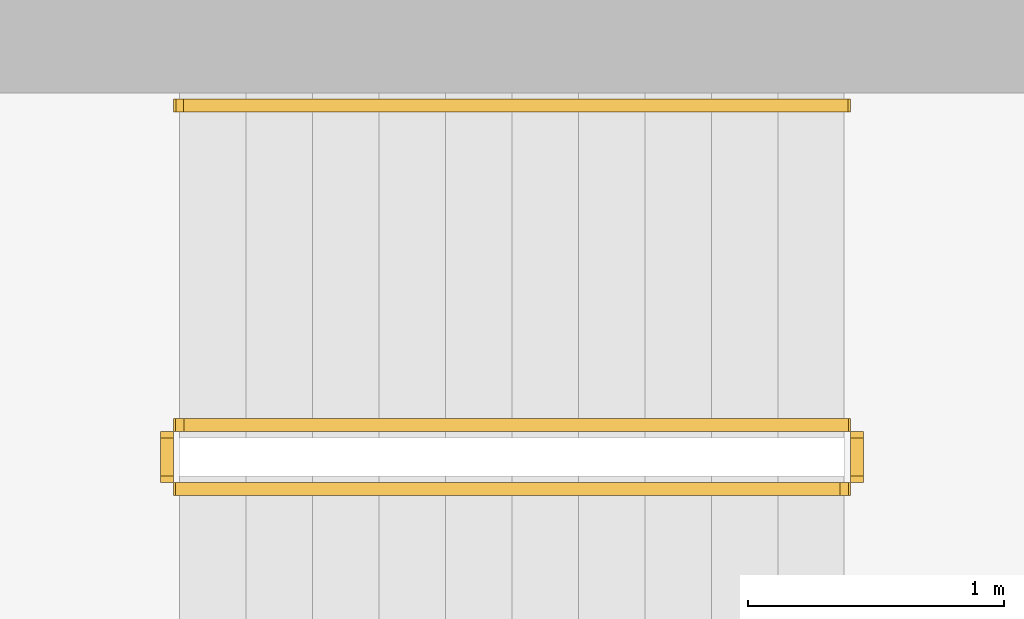
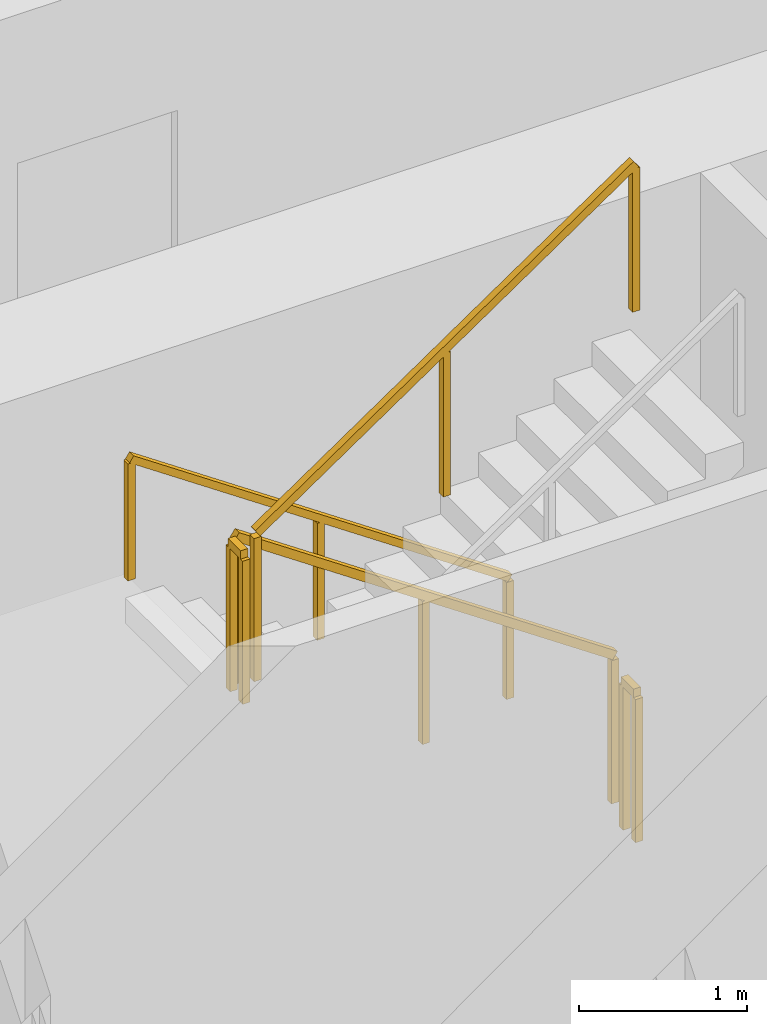
# One storey, part 16 of 17: 5 railings.
"""IFC4 building model written with IfcOpenShell, lengths in metres."""

import ifcopenshell
import ifcopenshell.guid

model = None  # the IFC model being written
_history = None  # IfcOwnerHistory: only IFC2X3 demands one
_inside = {}  # id of a spatial element -> (the spatial element, [elements in it])
_under = {}  # id of a project, library or spatial element -> (it, [spatial elements below it])
_declared = {}  # id of a project -> (the project, [libraries it declares])
_typed = {}  # id of a type object -> (the type object, [elements of that type])
_made_of = {}  # id of a material, layer set ... -> (it, [elements and type objects made of it])


def new_model(schema):
    """Start an empty IFC model of exactly this schema.

    Asked for "IFC4X3", IfcOpenShell would pick the latest addendum, in which some entities
    have other attributes; the version numbers below select the first issue.
    IFC2X3 requires an IfcOwnerHistory on every rooted entity: one is made here for all.
    """
    global model, _history
    if schema == "IFC4X3":
        model = ifcopenshell.file(schema_version=(4, 3, 0, 0))
    else:
        model = ifcopenshell.file(schema=schema)
    _inside.clear()
    _under.clear()
    _declared.clear()
    _typed.clear()
    _made_of.clear()
    _history = None
    if model.schema == "IFC2X3":
        org = make("IfcOrganization", Name="unknown")
        user = make(
            "IfcPersonAndOrganization",
            ThePerson=make("IfcPerson", FamilyName="unknown"),
            TheOrganization=org,
        )
        app = make(
            "IfcApplication",
            ApplicationDeveloper=org,
            Version="unknown",
            ApplicationFullName="unknown",
            ApplicationIdentifier="unknown",
        )
        _history = make(
            "IfcOwnerHistory",
            OwningUser=user,
            OwningApplication=app,
            ChangeAction="ADDED",
            CreationDate=0,
        )
    return model


def make(cls, **values):
    """One entity of the class cls with the attributes given. An attribute that is None is left unset."""
    return model.create_entity(
        cls, **{name: value for name, value in values.items() if value is not None}
    )


def rooted(cls, **values):
    """An entity with a GlobalId (a new one), such as an element, a storey or a relation."""
    return make(cls, GlobalId=ifcopenshell.guid.new(), OwnerHistory=_history, **values)


def si_unit(unit_type, name, prefix=None):
    """IfcSIUnit, for example si_unit("LENGTHUNIT", "METRE", prefix="MILLI")."""
    return make("IfcSIUnit", UnitType=unit_type, Prefix=prefix, Name=name)


def assignment(units):
    """IfcUnitAssignment: the units of a project."""
    return None if units is None else make("IfcUnitAssignment", Units=units)


def point(xyz):
    """IfcCartesianPoint."""
    return None if xyz is None else make("IfcCartesianPoint", Coordinates=xyz)


def direction(xyz):
    """IfcDirection."""
    return None if xyz is None else make("IfcDirection", DirectionRatios=xyz)


def frame(location, z_axis=None, x_axis=None):
    """IfcAxis2Placement3D, a coordinate frame: its origin and axes. An axis left out is left unset."""
    return make(
        "IfcAxis2Placement3D",
        Location=point(location),
        Axis=direction(z_axis),
        RefDirection=direction(x_axis),
    )


def frame_2d(location, x_axis=None):
    """IfcAxis2Placement2D, a coordinate frame in the plane: its origin and x axis."""
    return make(
        "IfcAxis2Placement2D", Location=point(location), RefDirection=direction(x_axis)
    )


def origin():
    """The frame at (0, 0, 0) with its axes left unset."""
    return frame((0.0, 0.0, 0.0))


def origin_2d():
    """The frame at (0, 0) in the plane with its x axis left unset."""
    return frame_2d((0.0, 0.0))


def place(relative_to, where):
    """IfcLocalPlacement: puts the frame where relative to a parent placement (None: the world)."""
    return make(
        "IfcLocalPlacement", PlacementRelTo=relative_to, RelativePlacement=where
    )


def context(
    kind, dimensions, precision=None, world=None, true_north=None, identifier=None
):
    """IfcGeometricRepresentationContext, for example the 3D "Model" context."""
    return make(
        "IfcGeometricRepresentationContext",
        ContextIdentifier=identifier,
        ContextType=kind,
        CoordinateSpaceDimension=dimensions,
        Precision=precision,
        WorldCoordinateSystem=world,
        TrueNorth=true_north,
    )


def subcontext(parent, identifier, kind, view, scale=None):
    """IfcGeometricRepresentationSubContext, for example "Body" below "Model"."""
    return make(
        "IfcGeometricRepresentationSubContext",
        ContextIdentifier=identifier,
        ContextType=kind,
        ParentContext=parent,
        TargetScale=scale,
        TargetView=view,
    )


def project(units=None, contexts=None):
    """IfcProject with its units and contexts."""
    return rooted(
        "IfcProject",
        Name="project",
        RepresentationContexts=contexts,
        UnitsInContext=assignment(units),
    )


def spatial(cls, under=None, at=None, **own):
    """A site, building, storey or space (cls), placed at a placement, below another one or the project."""
    s = rooted(cls, ObjectPlacement=at, **own)
    if under is not None:
        _under.setdefault(under.id(), (under, []))[1].append(s)
    return s


def profile(cls, at=None, kind="AREA", **sizes):
    """A parametric profile (cls). Its sizes go by their IFC names, for example OverallWidth=200.0."""
    return make(cls, ProfileType=kind, Position=at, **sizes)


def rectangle(**sizes):
    """IfcRectangleProfileDef."""
    return profile("IfcRectangleProfileDef", **sizes)


def extrude(swept, where, along, depth):
    """IfcExtrudedAreaSolid: the profile swept, set in the frame where, extruded along a direction by depth."""
    return make(
        "IfcExtrudedAreaSolid",
        SweptArea=swept,
        Position=where,
        ExtrudedDirection=direction(along),
        Depth=depth,
    )


def shape(context_of_items, identifier, shape_type, items):
    """IfcShapeRepresentation: the items that make up one representation, for example the "Body"."""
    return make(
        "IfcShapeRepresentation",
        ContextOfItems=context_of_items,
        RepresentationIdentifier=identifier,
        RepresentationType=shape_type,
        Items=items,
    )


def material(Name=None, Category=None):
    """IfcMaterial."""
    return make("IfcMaterial", Name=Name, Category=Category)


def made_of(thing, what):
    """Note that an element or type object is made of a material, layer set ...; save() writes the relation."""
    if what is not None:
        _made_of.setdefault(what.id(), (what, []))[1].append(thing)
    return thing


def type_object(cls, material=None, **own):
    """A type object (cls), such as IfcWallType, which elements share."""
    return made_of(rooted(cls, **own), material)


def element(
    cls,
    number,
    at=None,
    inside=None,
    cuts=None,
    type_object=None,
    material=None,
    context=None,
    identifier="Body",
    shape_type=None,
    held_by="IfcProductDefinitionShape",
    body=None,
    shapes=None,
    **own,
):
    """One element of the class cls, such as IfcWall. Its Tag is "e" and its number.

    at: its placement. inside: the storey or other place that contains it. cuts: it is an
    opening in that element (IfcRelVoidsElement). A single representation is given by context,
    identifier, shape_type and body (its items); several are given by shapes. held_by: the class
    of the entity that holds the representations. save() writes the other relations.
    """
    e = rooted(cls, Tag="e%d" % number, ObjectPlacement=at, **own)
    if body is not None:
        shapes = [shape(context, identifier, shape_type, body)]
    if shapes is not None:
        e.Representation = make(held_by, Representations=shapes)
    if inside is not None:
        _inside.setdefault(inside.id(), (inside, []))[1].append(e)
    if cuts is not None:
        rooted(
            "IfcRelVoidsElement", RelatingBuildingElement=cuts, RelatedOpeningElement=e
        )
    if type_object is not None:
        _typed.setdefault(type_object.id(), (type_object, []))[1].append(e)
    return made_of(e, material)


def aggregate(whole, parts):
    """IfcRelAggregates: a whole, such as a stair, and the parts it consists of."""
    return rooted("IfcRelAggregates", RelatingObject=whole, RelatedObjects=parts)


def save(model, path):
    """Write the relations noted so far, then the file.

    IfcRelAggregates (storeys below a building ...), IfcRelContainedInSpatialStructure (elements
    in a storey), IfcRelDefinesByType, IfcRelAssociatesMaterial and IfcRelDeclares: one each for
    every whole, place, type object, material and project.
    """
    for whole, parts in _under.values():
        aggregate(whole, parts)
    for where, things in _inside.values():
        rooted(
            "IfcRelContainedInSpatialStructure",
            RelatedElements=things,
            RelatingStructure=where,
        )
    for kind, things in _typed.values():
        rooted("IfcRelDefinesByType", RelatedObjects=things, RelatingType=kind)
    for what, things in _made_of.values():
        rooted("IfcRelAssociatesMaterial", RelatedObjects=things, RelatingMaterial=what)
    for by, libraries in _declared.values():
        rooted("IfcRelDeclares", RelatingContext=by, RelatedDefinitions=libraries)
    model.write(path)


model = new_model("IFC4")

# Units and contexts
model_context = context("Model", 3, precision=1e-05, world=origin(), true_north=direction((0.0, 1.0)))
body_context = subcontext(model_context, "Body", "Model", "MODEL_VIEW")
ifc_project = project(units=[si_unit("LENGTHUNIT", "METRE"), si_unit("AREAUNIT", "SQUARE_METRE"), si_unit("VOLUMEUNIT", "CUBIC_METRE"), si_unit("PLANEANGLEUNIT", "RADIAN"), si_unit("MASSUNIT", "GRAM", prefix="KILO")], contexts=[model_context])

# Site, building, storey
site_placement = place(None, origin())
site = spatial("IfcSite", under=ifc_project, at=site_placement, CompositionType="ELEMENT")
building_placement = place(site_placement, origin())
building = spatial("IfcBuilding", under=site, at=building_placement, Name="Khepri Terraces", CompositionType="ELEMENT")
storey_placement = place(building_placement, frame((0.0, 0.0, 188.39990234375)))
storey = spatial("IfcBuildingStorey", under=building, at=storey_placement, Name="L44", CompositionType="ELEMENT", Elevation=188.39990234375)

# Railings
ifc_material = material(Name="Stainless steel 316", Category="steel")
railing_type_1 = type_object("IfcRailingType", Name="RL-CORE-GUARD", PredefinedType="GUARDRAIL", material=ifc_material)
railing_1_placement = place(storey_placement, frame((-0.25, 8.800048828125, 0.177490234375)))
element("IfcRailing", 1, at=railing_1_placement, inside=storey, type_object=railing_type_1, Name="L44 ST-3 stair guard 1", PredefinedType="GUARDRAIL", context=body_context, shape_type="SweptSolid", body=[
    extrude(rectangle(XDim=0.050048828125, YDim=0.06005859375, at=origin_2d()), frame((0.0, 0.0, 1.070068359375), z_axis=(-0.826240473404, 0.0, 0.563317565952), x_axis=(0.0, -1.0, 0.0)), (0.0, 0.0, 1.0), 3.14697265625),
    extrude(rectangle(XDim=0.050048828125, YDim=0.050048828125, at=origin_2d()), origin(), (0.0, 0.0, 1.0), 1.0400390625),
    extrude(rectangle(XDim=0.050048828125, YDim=0.050048828125, at=origin_2d()), frame((-1.300048828125, 0.0, 0.88623046875)), (0.0, 0.0, 1.0), 1.0400390625),
    extrude(rectangle(XDim=0.050048828125, YDim=0.050048828125, at=origin_2d()), frame((-2.60009765625, 0.0, 1.772705078125)), (0.0, 0.0, 1.0), 1.0400390625),
])
railing_2_placement = place(storey_placement, frame((-2.89990234375, 8.75, 1.9501953125)))
element("IfcRailing", 2, at=railing_2_placement, inside=storey, type_object=railing_type_1, Name="L44 ST-3 stair guard 2", PredefinedType="GUARDRAIL", context=body_context, shape_type="SweptSolid", body=[
    extrude(rectangle(XDim=0.050048828125, YDim=0.06005859375, at=origin_2d()), frame((0.0, 0.0, 1.070068359375), z_axis=(0.0, -1.0, 0.0), x_axis=(1.0, 0.0, 0.0)), (0.0, 0.0, 1.0), 0.14990234375),
    extrude(rectangle(XDim=0.050048828125, YDim=0.050048828125, at=origin_2d()), origin(), (0.0, 0.0, 1.0), 1.0400390625),
    extrude(rectangle(XDim=0.050048828125, YDim=0.050048828125, at=origin_2d()), frame((0.0, -0.14990234375, 0.0)), (0.0, 0.0, 1.0), 1.0400390625),
])
railing_3_placement = place(storey_placement, frame((-2.85009765625, 8.550048828125, 2.12744140625)))
element("IfcRailing", 3, at=railing_3_placement, inside=storey, type_object=railing_type_1, Name="L44 ST-3 stair guard 3", PredefinedType="GUARDRAIL", context=body_context, shape_type="SweptSolid", body=[
    extrude(rectangle(XDim=0.050048828125, YDim=0.06005859375, at=origin_2d()), frame((0.0, 0.0, 1.070068359375), z_axis=(0.826240473404, 0.0, 0.563317565952), x_axis=(0.0, 1.0, 0.0)), (0.0, 0.0, 1.0), 3.14697265625),
    extrude(rectangle(XDim=0.050048828125, YDim=0.050048828125, at=origin_2d()), origin(), (0.0, 0.0, 1.0), 1.0400390625),
    extrude(rectangle(XDim=0.050048828125, YDim=0.050048828125, at=origin_2d()), frame((1.300048828125, 0.0, 0.88623046875)), (0.0, 0.0, 1.0), 1.0400390625),
    extrude(rectangle(XDim=0.050048828125, YDim=0.050048828125, at=origin_2d()), frame((2.60009765625, 0.0, 1.772705078125)), (0.0, 0.0, 1.0), 1.0400390625),
])
railing_4_placement = place(storey_placement, frame((-0.199951171875, 8.75, 0.0)))
element("IfcRailing", 4, at=railing_4_placement, inside=storey, type_object=railing_type_1, Name="L44 ST-3 stair guard 4", PredefinedType="GUARDRAIL", context=body_context, shape_type="SweptSolid", body=[
    extrude(rectangle(XDim=0.050048828125, YDim=0.06005859375, at=origin_2d()), frame((0.0, 0.0, 1.070068359375), z_axis=(0.0, -1.0, 0.0), x_axis=(1.0, 0.0, 0.0)), (0.0, 0.0, 1.0), 0.14990234375),
    extrude(rectangle(XDim=0.050048828125, YDim=0.050048828125, at=origin_2d()), origin(), (0.0, 0.0, 1.0), 1.0400390625),
    extrude(rectangle(XDim=0.050048828125, YDim=0.050048828125, at=origin_2d()), frame((0.0, -0.14990234375, 0.0)), (0.0, 0.0, 1.0), 1.0400390625),
])
railing_type_2 = type_object("IfcRailingType", Name="RL-CORE-HANDRAIL", PredefinedType="HANDRAIL", material=ifc_material)
railing_5_placement = place(storey_placement, frame((-0.25, 10.050048828125, 0.177490234375)))
element("IfcRailing", 5, at=railing_5_placement, inside=storey, type_object=railing_type_2, Name="L44 ST-3 stair handrail 1", PredefinedType="HANDRAIL", context=body_context, shape_type="SweptSolid", body=[
    extrude(rectangle(XDim=0.050048828125, YDim=0.050048828125, at=origin_2d()), frame((0.0, 0.0, 0.875), z_axis=(-0.826240473404, 0.0, 0.563317565952), x_axis=(0.0, -1.0, 0.0)), (0.0, 0.0, 1.0), 3.14697265625),
    extrude(rectangle(XDim=0.050048828125, YDim=0.050048828125, at=origin_2d()), origin(), (0.0, 0.0, 1.0), 0.849853515625),
    extrude(rectangle(XDim=0.050048828125, YDim=0.050048828125, at=origin_2d()), frame((-1.300048828125, 0.0, 0.88623046875)), (0.0, 0.0, 1.0), 0.849853515625),
    extrude(rectangle(XDim=0.050048828125, YDim=0.050048828125, at=origin_2d()), frame((-2.60009765625, 0.0, 1.772705078125)), (0.0, 0.0, 1.0), 0.849853515625),
])

save(model, "model.ifc")
